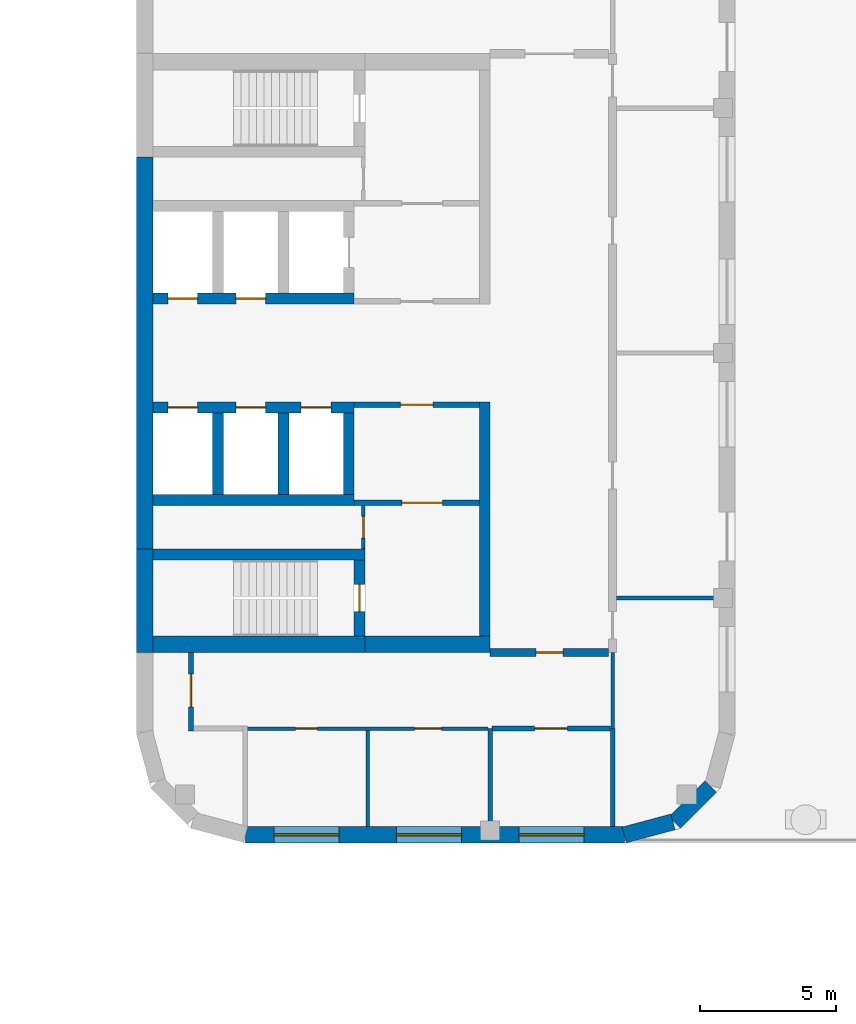
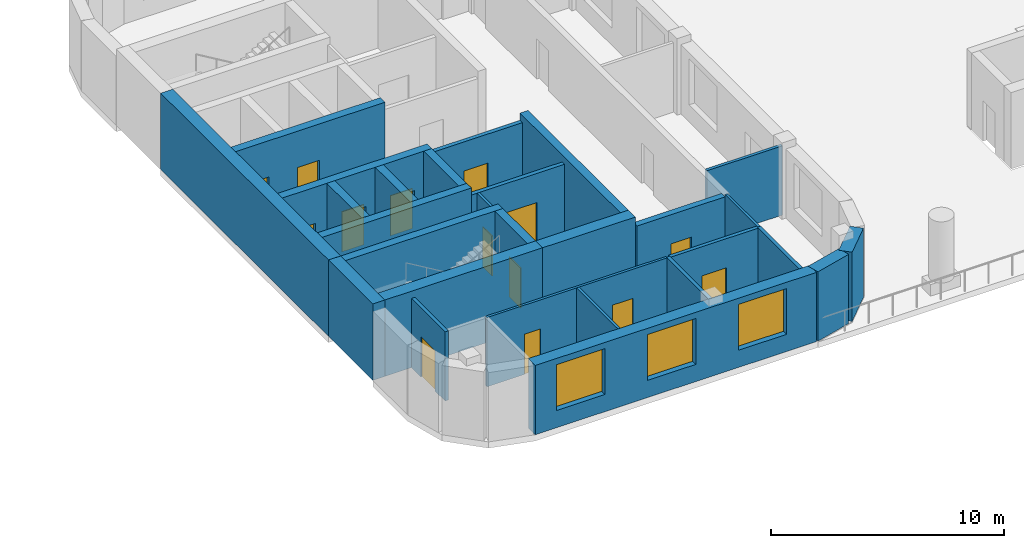
# One storey, part 7 of 14: 28 walls, 14 doors, 3 windows, 17 openings.
"""IFC4 building model written with IfcOpenShell, lengths in metres."""

from ifc_helpers import new_model, si_unit, direction, frame, frame_2d, origin, place, context, subcontext, project, spatial, rectangle, extrude, material, layer, layer_set, type_object, element, fill, save


model = new_model("IFC4")

# Units and contexts
model_context = context("Model", 3, precision=1e-05, world=origin(), true_north=direction((0.0, 1.0)))
body_context = subcontext(model_context, "Body", "Model", "MODEL_VIEW")
ifc_project = project(units=[si_unit("LENGTHUNIT", "METRE"), si_unit("AREAUNIT", "SQUARE_METRE"), si_unit("VOLUMEUNIT", "CUBIC_METRE"), si_unit("PLANEANGLEUNIT", "RADIAN"), si_unit("MASSUNIT", "GRAM", prefix="KILO")], contexts=[model_context])

# Site, building, storey
site_placement = place(None, origin())
site = spatial("IfcSite", under=ifc_project, at=site_placement, CompositionType="ELEMENT")
building_placement = place(site_placement, origin())
building = spatial("IfcBuilding", under=site, at=building_placement, Name="Skarvind Civic Tower", CompositionType="ELEMENT")
storey_placement = place(building_placement, frame((0.0, 0.0, 89.0)))
storey = spatial("IfcBuildingStorey", under=building, at=storey_placement, Name="L20", CompositionType="ELEMENT", Elevation=89.0)

# Wall, opening, door
ifc_material_1 = material(Name="Acoustic gypsum board on steel studs", Category="steel")
ifc_layer_1 = layer(ifc_material_1, 0.175048828125)
ifc_layer_set_1 = layer_set([ifc_layer_1], Name="ACOUSTIC MEETING-ROOM PARTITION 175")
wall_type_1 = type_object("IfcWallType", Name="ACOUSTIC MEETING-ROOM PARTITION 175", PredefinedType="PARTITIONING", material=ifc_layer_set_1)
wall_1_placement = place(storey_placement, frame((129.0, 114.112060546875, 0.0), z_axis=(0.0, 0.0, 1.0), x_axis=(0.0, 1.0, 0.0)))
wall_1 = element("IfcWall", 1, at=wall_1_placement, inside=storey, type_object=wall_type_1, Name="Partition 20.001", PredefinedType="PARTITIONING", context=body_context, shape_type="SweptSolid", body=[
    extrude(rectangle(XDim=2.887939453125, YDim=0.175048828125, at=frame_2d((1.44384765625, 0.0))), origin(), (0.0, 0.0, 1.0), 3.625),
])
opening_1_placement = place(wall_1_placement, frame((0.887939453125, 0.0, 0.0)))
opening_1 = element("IfcOpeningElement", 2, at=opening_1_placement, cuts=wall_1, Name="Opening L20-D110", PredefinedType="OPENING", context=body_context, shape_type="SweptSolid", body=[
    extrude(rectangle(XDim=1.199951171875, YDim=2.10009765625, at=frame_2d((0.60009765625, 1.050048828125))), frame((0.0, 0.097412109375, 0.0), z_axis=(0.0, -1.0, 0.0), x_axis=(1.0, 0.0, 0.0)), (0.0, 0.0, 1.0), 0.195068359375),
])
ifc_material_2 = material(Name="Timber door leaf", Category="wood")
door_type_1 = type_object("IfcDoorType", Name="DOOR 1200X2100 DOUBLE TIMBER", OperationType="NOTDEFINED", PredefinedType="DOOR", material=ifc_material_2)
door_1_placement = place(opening_1_placement, origin())
door_1 = element("IfcDoor", 3, at=door_1_placement, inside=storey, type_object=door_type_1, Name="Door L20-D110", OperationType="DOUBLE_DOOR_SINGLE_SWING", OverallHeight=2.10009765625, OverallWidth=1.199951171875, PredefinedType="DOOR", context=body_context, shape_type="SweptSolid", body=[
    extrude(rectangle(XDim=1.199951171875, YDim=2.10009765625, at=frame_2d((0.60009765625, 1.050048828125))), frame((0.0, 0.02490234375, 0.0), z_axis=(0.0, -1.0, 0.0), x_axis=(1.0, 0.0, 0.0)), (0.0, 0.0, 1.0), 0.050048828125),
])
fill(opening_1, door_1)

wall_2_placement = place(storey_placement, frame((144.412109375, 114.199951171875, 0.0), z_axis=(0.0, 0.0, 1.0), x_axis=(-1.0, 0.0, 0.0)))
wall_2 = element("IfcWall", 4, at=wall_2_placement, inside=storey, type_object=wall_type_1, Name="Partition 20.006", PredefinedType="PARTITIONING", context=body_context, shape_type="SweptSolid", body=[
    extrude(rectangle(XDim=4.35205078125, YDim=0.175048828125, at=frame_2d((2.176025390625, 0.0))), origin(), (0.0, 0.0, 1.0), 3.625),
])
opening_2_placement = place(wall_2_placement, frame((1.575927734375, 0.0, 0.0)))
opening_2 = element("IfcOpeningElement", 5, at=opening_2_placement, cuts=wall_2, Name="Opening L20-D109", PredefinedType="OPENING", context=body_context, shape_type="SweptSolid", body=[
    extrude(rectangle(XDim=1.199951171875, YDim=2.10009765625, at=frame_2d((0.60009765625, 1.050048828125))), frame((0.0, 0.097412109375, 0.0), z_axis=(0.0, -1.0, 0.0), x_axis=(1.0, 0.0, 0.0)), (0.0, 0.0, 1.0), 0.195068359375),
])
door_2_placement = place(opening_2_placement, origin())
door_2 = element("IfcDoor", 6, at=door_2_placement, inside=storey, type_object=door_type_1, Name="Door L20-D109", OperationType="DOUBLE_DOOR_SINGLE_SWING", OverallHeight=2.10009765625, OverallWidth=1.199951171875, PredefinedType="DOOR", context=body_context, shape_type="SweptSolid", body=[
    extrude(rectangle(XDim=1.199951171875, YDim=2.10009765625, at=frame_2d((0.60009765625, 1.050048828125))), frame((0.0, 0.02490234375, 0.0), z_axis=(0.0, -1.0, 0.0), x_axis=(1.0, 0.0, 0.0)), (0.0, 0.0, 1.0), 0.050048828125),
])
fill(opening_2, door_2)

# Walls
for number, where, z_axis, x_axis, name in (
    (7, (140.0, 110.60009765625, 0.0), (0.0, 0.0, 1.0), (0.0, 1.0, 0.0), "Partition 20.007"),
    (8, (144.5, 114.199951171875, 0.0), (0.0, 0.0, 1.0), (0.0, -1.0, 0.0), "Partition 20.009"),
):
    element("IfcWall", number, at=place(storey_placement, frame(where, z_axis=z_axis, x_axis=x_axis)), inside=storey, type_object=wall_type_1, Name=name, PredefinedType="PARTITIONING", context=body_context, shape_type="SweptSolid", body=[
        extrude(rectangle(XDim=3.599853515625, YDim=0.175048828125, at=frame_2d((1.7998046875, 0.0))), origin(), (0.0, 0.0, 1.0), 3.625),
    ])

# Wall, opening, door
ifc_material_3 = material(Name="Fire-rated gypsum board on steel studs", Category="steel")
ifc_layer_2 = layer(ifc_material_3, 0.300048828125)
ifc_layer_set_2 = layer_set([ifc_layer_2], Name="CORRIDOR WALL 300")
wall_type_2 = type_object("IfcWallType", Name="CORRIDOR WALL 300", PredefinedType="PARTITIONING", material=ifc_layer_set_2)
wall_3_placement = place(storey_placement, frame((140.0, 117.0, 0.0), z_axis=(0.0, 0.0, 1.0), x_axis=(1.0, 0.0, 0.0)))
wall_3 = element("IfcWall", 9, at=wall_3_placement, inside=storey, type_object=wall_type_2, Name="Partition 20.010", PredefinedType="PARTITIONING", context=body_context, shape_type="SweptSolid", body=[
    extrude(rectangle(XDim=4.35009765625, YDim=0.300048828125, at=frame_2d((2.175048828125, 0.0))), origin(), (0.0, 0.0, 1.0), 3.625),
])
opening_3_placement = place(wall_3_placement, frame((1.68359375, 0.0, 0.0)))
opening_3 = element("IfcOpeningElement", 10, at=opening_3_placement, cuts=wall_3, Name="Opening L20-D106", PredefinedType="OPENING", context=body_context, shape_type="SweptSolid", body=[
    extrude(rectangle(XDim=1.0, YDim=2.10009765625, at=frame_2d((0.5, 1.050048828125))), frame((0.0, 0.159912109375, 0.0), z_axis=(0.0, -1.0, 0.0), x_axis=(1.0, 0.0, 0.0)), (0.0, 0.0, 1.0), 0.320068359375),
])
ifc_material_4 = material(Name="Fire-rated timber door leaf", Category="wood")
door_type_2 = type_object("IfcDoorType", Name="FD1 1000x2100", OperationType="NOTDEFINED", PredefinedType="DOOR", material=ifc_material_4)
door_3_placement = place(opening_3_placement, origin())
door_3 = element("IfcDoor", 11, at=door_3_placement, inside=storey, type_object=door_type_2, Name="Door L20-D106", OperationType="SINGLE_SWING_LEFT", OverallHeight=2.10009765625, OverallWidth=1.0, PredefinedType="DOOR", context=body_context, shape_type="SweptSolid", body=[
    extrude(rectangle(XDim=1.0, YDim=2.10009765625, at=frame_2d((0.5, 1.050048828125))), frame((0.0, 0.02490234375, 0.0), z_axis=(0.0, -1.0, 0.0), x_axis=(1.0, 0.0, 0.0)), (0.0, 0.0, 1.0), 0.050048828125),
])
fill(opening_3, door_3)

ifc_material_5 = material(Name="Fire-rated masonry partition", Category="masonry")
ifc_layer_3 = layer(ifc_material_5, 0.199951171875)
ifc_layer_set_3 = layer_set([ifc_layer_3], Name="Core enclosure wall 200")
wall_type_3 = type_object("IfcWallType", Name="Core enclosure wall 200", PredefinedType="PARTITIONING", material=ifc_layer_set_3)
wall_4_placement = place(storey_placement, frame((139.60009765625, 126.10009765625, 0.0), z_axis=(0.0, 0.0, 1.0), x_axis=(-1.0, 0.0, 0.0)))
wall_4 = element("IfcWall", 12, at=wall_4_placement, inside=storey, type_object=wall_type_3, Name="Core wall CA", PredefinedType="PARTITIONING", context=body_context, shape_type="SweptSolid", body=[
    extrude(rectangle(XDim=4.60009765625, YDim=0.199951171875, at=frame_2d((2.300048828125, 0.0))), origin(), (0.0, 0.0, 1.0), 3.625),
])
opening_4_placement = place(wall_4_placement, frame((1.699951171875, 0.0, 0.0)))
opening_4 = element("IfcOpeningElement", 13, at=opening_4_placement, cuts=wall_4, Name="Opening D-L20-CA-10", PredefinedType="OPENING", context=body_context, shape_type="SweptSolid", body=[
    extrude(rectangle(XDim=1.199951171875, YDim=2.10009765625, at=frame_2d((0.60009765625, 1.050048828125))), frame((0.0, 0.10986328125, 0.0), z_axis=(0.0, -1.0, 0.0), x_axis=(1.0, 0.0, 0.0)), (0.0, 0.0, 1.0), 0.219970703125),
])
ifc_material_6 = material(Name="Fire-rated steel door", Category="steel")
door_type_3 = type_object("IfcDoorType", Name="Core lobby door 1200", OperationType="NOTDEFINED", PredefinedType="DOOR", material=ifc_material_6)
door_4_placement = place(opening_4_placement, origin())
door_4 = element("IfcDoor", 14, at=door_4_placement, inside=storey, type_object=door_type_3, Name="Fire door", OperationType="DOUBLE_DOOR_SINGLE_SWING", OverallHeight=2.10009765625, OverallWidth=1.199951171875, PredefinedType="DOOR", context=body_context, shape_type="SweptSolid", body=[
    extrude(rectangle(XDim=1.199951171875, YDim=2.10009765625, at=frame_2d((0.60009765625, 1.050048828125))), frame((0.0, 0.02490234375, 0.0), z_axis=(0.0, -1.0, 0.0), x_axis=(1.0, 0.0, 0.0)), (0.0, 0.0, 1.0), 0.050048828125),
])
fill(opening_4, door_4)

wall_5_placement = place(storey_placement, frame((139.60009765625, 122.5, 0.0), z_axis=(0.0, 0.0, 1.0), x_axis=(-1.0, 0.0, 0.0)))
wall_5 = element("IfcWall", 15, at=wall_5_placement, inside=storey, type_object=wall_type_3, Name="Core wall CA", PredefinedType="PARTITIONING", context=body_context, shape_type="SweptSolid", body=[
    extrude(rectangle(XDim=4.60009765625, YDim=0.199951171875, at=frame_2d((2.300048828125, 0.0))), origin(), (0.0, 0.0, 1.0), 3.625),
])
opening_5_placement = place(wall_5_placement, frame((1.35009765625, 0.0, 0.0)))
opening_5 = element("IfcOpeningElement", 16, at=opening_5_placement, cuts=wall_5, Name="Opening D-L20-CA-11", PredefinedType="OPENING", context=body_context, shape_type="SweptSolid", body=[
    extrude(rectangle(XDim=1.5, YDim=2.10009765625, at=frame_2d((0.75, 1.050048828125))), frame((0.0, 0.10986328125, 0.0), z_axis=(0.0, -1.0, 0.0), x_axis=(1.0, 0.0, 0.0)), (0.0, 0.0, 1.0), 0.219970703125),
])
door_type_4 = type_object("IfcDoorType", Name="Fire door 1500", OperationType="NOTDEFINED", PredefinedType="DOOR", material=ifc_material_6)
door_5_placement = place(opening_5_placement, origin())
door_5 = element("IfcDoor", 17, at=door_5_placement, inside=storey, type_object=door_type_4, Name="Fire door", OperationType="DOUBLE_DOOR_SINGLE_SWING", OverallHeight=2.10009765625, OverallWidth=1.5, PredefinedType="DOOR", context=body_context, shape_type="SweptSolid", body=[
    extrude(rectangle(XDim=1.5, YDim=2.10009765625, at=frame_2d((0.75, 1.050048828125))), frame((0.0, 0.02490234375, 0.0), z_axis=(0.0, -1.0, 0.0), x_axis=(1.0, 0.0, 0.0)), (0.0, 0.0, 1.0), 0.050048828125),
])
fill(opening_5, door_5)

# Wall
ifc_material_7 = material(Name="Concrete C80", Category="concrete")
ifc_layer_4 = layer(ifc_material_7, 0.39990234375)
ifc_layer_set_4 = layer_set([ifc_layer_4], Name="Core wall 400 C80")
wall_type_4 = type_object("IfcWallType", Name="Core wall 400 C80", PredefinedType="SHEAR", material=ifc_layer_set_4)
wall_6_placement = place(storey_placement, frame((127.60009765625, 120.60009765625, 0.0), z_axis=(0.0, 0.0, 1.0), x_axis=(1.0, 0.0, 0.0)))
element("IfcWall", 18, at=wall_6_placement, inside=storey, type_object=wall_type_4, Name="Core wall CA south stair inner L20", PredefinedType="SHEAR", context=body_context, shape_type="SweptSolid", body=[
    extrude(rectangle(XDim=7.7998046875, YDim=0.39990234375, at=frame_2d((3.89990234375, 0.0))), origin(), (0.0, 0.0, 1.0), 4.0),
])

# Wall, opening, door
wall_7_placement = place(storey_placement, frame((135.199951171875, 117.60009765625, 0.0), z_axis=(0.0, 0.0, 1.0), x_axis=(0.0, 1.0, 0.0)))
wall_7 = element("IfcWall", 19, at=wall_7_placement, inside=storey, type_object=wall_type_4, Name="Core wall CA south stair end L20", PredefinedType="SHEAR", context=body_context, shape_type="SweptSolid", body=[
    extrude(rectangle(XDim=2.7998046875, YDim=0.39990234375, at=frame_2d((1.39990234375, 0.0))), origin(), (0.0, 0.0, 1.0), 4.0),
])
opening_6_placement = place(wall_7_placement, frame((0.89990234375, 0.0, 0.0)))
opening_6 = element("IfcOpeningElement", 20, at=opening_6_placement, cuts=wall_7, Name="Opening D-L20-CA-12", PredefinedType="OPENING", context=body_context, shape_type="SweptSolid", body=[
    extrude(rectangle(XDim=1.0, YDim=2.10009765625, at=frame_2d((0.5, 1.050048828125))), frame((0.0, 0.2099609375, 0.0), z_axis=(0.0, -1.0, 0.0), x_axis=(1.0, 0.0, 0.0)), (0.0, 0.0, 1.0), 0.419921875),
])
door_type_5 = type_object("IfcDoorType", Name="Fire door 1000", OperationType="NOTDEFINED", PredefinedType="DOOR", material=ifc_material_6)
door_6_placement = place(opening_6_placement, origin())
door_6 = element("IfcDoor", 21, at=door_6_placement, inside=storey, type_object=door_type_5, Name="Fire door", OperationType="SINGLE_SWING_RIGHT", OverallHeight=2.10009765625, OverallWidth=1.0, PredefinedType="DOOR", context=body_context, shape_type="SweptSolid", body=[
    extrude(rectangle(XDim=1.0, YDim=2.10009765625, at=frame_2d((0.5, 1.050048828125))), frame((0.0, 0.02490234375, 0.0), z_axis=(0.0, -1.0, 0.0), x_axis=(1.0, 0.0, 0.0)), (0.0, 0.0, 1.0), 0.050048828125),
])
fill(opening_6, door_6)

# Wall, openings, doors
wall_8_placement = place(storey_placement, frame((127.60009765625, 126.0, 0.0), z_axis=(0.0, 0.0, 1.0), x_axis=(1.0, 0.0, 0.0)))
wall_8 = element("IfcWall", 22, at=wall_8_placement, inside=storey, type_object=wall_type_4, Name="Core wall CA south lift row front L20", PredefinedType="SHEAR", context=body_context, shape_type="SweptSolid", body=[
    extrude(rectangle(XDim=7.39990234375, YDim=0.39990234375, at=frame_2d((3.699951171875, 0.0))), origin(), (0.0, 0.0, 1.0), 4.0),
])
opening_7_placement = place(wall_8_placement, frame((0.550048828125, 0.0, 0.0)))
opening_7 = element("IfcOpeningElement", 23, at=opening_7_placement, cuts=wall_8, Name="Opening LD22304", PredefinedType="OPENING", context=body_context, shape_type="SweptSolid", body=[
    extrude(rectangle(XDim=1.10009765625, YDim=2.10009765625, at=frame_2d((0.550048828125, 1.050048828125))), frame((0.0, 0.2099609375, 0.0), z_axis=(0.0, -1.0, 0.0), x_axis=(1.0, 0.0, 0.0)), (0.0, 0.0, 1.0), 0.419921875),
])
opening_8_placement = place(wall_8_placement, frame((3.050048828125, 0.0, 0.0)))
opening_8 = element("IfcOpeningElement", 24, at=opening_8_placement, cuts=wall_8, Name="Opening LD22305", PredefinedType="OPENING", context=body_context, shape_type="SweptSolid", body=[
    extrude(rectangle(XDim=1.10009765625, YDim=2.10009765625, at=frame_2d((0.550048828125, 1.050048828125))), frame((0.0, 0.2099609375, 0.0), z_axis=(0.0, -1.0, 0.0), x_axis=(1.0, 0.0, 0.0)), (0.0, 0.0, 1.0), 0.419921875),
])
opening_9_placement = place(wall_8_placement, frame((5.449951171875, 0.0, 0.0)))
opening_9 = element("IfcOpeningElement", 25, at=opening_9_placement, cuts=wall_8, Name="Opening LD22306", PredefinedType="OPENING", context=body_context, shape_type="SweptSolid", body=[
    extrude(rectangle(XDim=1.10009765625, YDim=2.10009765625, at=frame_2d((0.550048828125, 1.050048828125))), frame((0.0, 0.2099609375, 0.0), z_axis=(0.0, -1.0, 0.0), x_axis=(1.0, 0.0, 0.0)), (0.0, 0.0, 1.0), 0.419921875),
])
ifc_material_8 = material(Name="Stainless steel landing door", Category="steel")
door_type_6 = type_object("IfcDoorType", Name="Lift landing door 1100", OperationType="DOUBLE_DOOR_SLIDING", PredefinedType="DOOR", material=ifc_material_8)
door_7_placement = place(opening_7_placement, origin())
door_7 = element("IfcDoor", 26, at=door_7_placement, inside=storey, type_object=door_type_6, Name="Lift landing door", OperationType="DOUBLE_DOOR_SLIDING", OverallHeight=2.10009765625, OverallWidth=1.10009765625, PredefinedType="DOOR", context=body_context, shape_type="SweptSolid", body=[
    extrude(rectangle(XDim=1.10009765625, YDim=2.10009765625, at=frame_2d((0.550048828125, 1.050048828125))), frame((0.0, 0.02490234375, 0.0), z_axis=(0.0, -1.0, 0.0), x_axis=(1.0, 0.0, 0.0)), (0.0, 0.0, 1.0), 0.050048828125),
])
fill(opening_7, door_7)
door_8_placement = place(opening_8_placement, origin())
door_8 = element("IfcDoor", 27, at=door_8_placement, inside=storey, type_object=door_type_6, Name="Lift landing door", OperationType="DOUBLE_DOOR_SLIDING", OverallHeight=2.10009765625, OverallWidth=1.10009765625, PredefinedType="DOOR", context=body_context, shape_type="SweptSolid", body=[
    extrude(rectangle(XDim=1.10009765625, YDim=2.10009765625, at=frame_2d((0.550048828125, 1.050048828125))), frame((0.0, 0.02490234375, 0.0), z_axis=(0.0, -1.0, 0.0), x_axis=(1.0, 0.0, 0.0)), (0.0, 0.0, 1.0), 0.050048828125),
])
fill(opening_8, door_8)
door_9_placement = place(opening_9_placement, origin())
door_9 = element("IfcDoor", 28, at=door_9_placement, inside=storey, type_object=door_type_6, Name="Lift landing door", OperationType="DOUBLE_DOOR_SLIDING", OverallHeight=2.10009765625, OverallWidth=1.10009765625, PredefinedType="DOOR", context=body_context, shape_type="SweptSolid", body=[
    extrude(rectangle(XDim=1.10009765625, YDim=2.10009765625, at=frame_2d((0.550048828125, 1.050048828125))), frame((0.0, 0.02490234375, 0.0), z_axis=(0.0, -1.0, 0.0), x_axis=(1.0, 0.0, 0.0)), (0.0, 0.0, 1.0), 0.050048828125),
])
fill(opening_9, door_9)

# Walls
wall_9_placement = place(storey_placement, frame((127.60009765625, 122.60009765625, 0.0), z_axis=(0.0, 0.0, 1.0), x_axis=(1.0, 0.0, 0.0)))
element("IfcWall", 29, at=wall_9_placement, inside=storey, type_object=wall_type_4, Name="Core wall CA south lift row back L20", PredefinedType="SHEAR", context=body_context, shape_type="SweptSolid", body=[
    extrude(rectangle(XDim=7.39990234375, YDim=0.39990234375, at=frame_2d((3.699951171875, 0.0))), origin(), (0.0, 0.0, 1.0), 4.0),
])
for number, where, z_axis, x_axis, name in (
    (30, (130.0, 122.800048828125, 0.0), (0.0, 0.0, 1.0), (0.0, 1.0, 0.0), "Core wall CA south lift row division 1 L20"),
    (31, (132.39990234375, 122.800048828125, 0.0), (0.0, 0.0, 1.0), (0.0, 1.0, 0.0), "Core wall CA south lift row division 2 L20"),
    (32, (134.800048828125, 122.800048828125, 0.0), (0.0, 0.0, 1.0), (0.0, 1.0, 0.0), "Core wall CA south lift row division 3 L20"),
):
    element("IfcWall", number, at=place(storey_placement, frame(where, z_axis=z_axis, x_axis=x_axis)), inside=storey, type_object=wall_type_4, Name=name, PredefinedType="SHEAR", context=body_context, shape_type="SweptSolid", body=[
        extrude(rectangle(XDim=3.0, YDim=0.39990234375, at=frame_2d((1.5, 0.0))), origin(), (0.0, 0.0, 1.0), 4.0),
    ])

# Wall, openings, doors
wall_10_placement = place(storey_placement, frame((127.60009765625, 130.0, 0.0), z_axis=(0.0, 0.0, 1.0), x_axis=(1.0, 0.0, 0.0)))
wall_10 = element("IfcWall", 33, at=wall_10_placement, inside=storey, type_object=wall_type_4, Name="Core wall CA north lift row front L20", PredefinedType="SHEAR", context=body_context, shape_type="SweptSolid", body=[
    extrude(rectangle(XDim=7.39990234375, YDim=0.39990234375, at=frame_2d((3.699951171875, 0.0))), origin(), (0.0, 0.0, 1.0), 4.0),
])
opening_10_placement = place(wall_10_placement, frame((0.550048828125, 0.0, 0.0)))
opening_10 = element("IfcOpeningElement", 34, at=opening_10_placement, cuts=wall_10, Name="Opening LD22301", PredefinedType="OPENING", context=body_context, shape_type="SweptSolid", body=[
    extrude(rectangle(XDim=1.10009765625, YDim=2.10009765625, at=frame_2d((0.550048828125, 1.050048828125))), frame((0.0, 0.2099609375, 0.0), z_axis=(0.0, -1.0, 0.0), x_axis=(1.0, 0.0, 0.0)), (0.0, 0.0, 1.0), 0.419921875),
])
opening_11_placement = place(wall_10_placement, frame((3.050048828125, 0.0, 0.0)))
opening_11 = element("IfcOpeningElement", 35, at=opening_11_placement, cuts=wall_10, Name="Opening LD22302", PredefinedType="OPENING", context=body_context, shape_type="SweptSolid", body=[
    extrude(rectangle(XDim=1.10009765625, YDim=2.10009765625, at=frame_2d((0.550048828125, 1.050048828125))), frame((0.0, 0.2099609375, 0.0), z_axis=(0.0, -1.0, 0.0), x_axis=(1.0, 0.0, 0.0)), (0.0, 0.0, 1.0), 0.419921875),
])
door_10_placement = place(opening_10_placement, origin())
door_10 = element("IfcDoor", 36, at=door_10_placement, inside=storey, type_object=door_type_6, Name="Lift landing door", OperationType="DOUBLE_DOOR_SLIDING", OverallHeight=2.10009765625, OverallWidth=1.10009765625, PredefinedType="DOOR", context=body_context, shape_type="SweptSolid", body=[
    extrude(rectangle(XDim=1.10009765625, YDim=2.10009765625, at=frame_2d((0.550048828125, 1.050048828125))), frame((0.0, 0.02490234375, 0.0), z_axis=(0.0, -1.0, 0.0), x_axis=(1.0, 0.0, 0.0)), (0.0, 0.0, 1.0), 0.050048828125),
])
fill(opening_10, door_10)
door_11_placement = place(opening_11_placement, origin())
door_11 = element("IfcDoor", 37, at=door_11_placement, inside=storey, type_object=door_type_6, Name="Lift landing door", OperationType="DOUBLE_DOOR_SLIDING", OverallHeight=2.10009765625, OverallWidth=1.10009765625, PredefinedType="DOOR", context=body_context, shape_type="SweptSolid", body=[
    extrude(rectangle(XDim=1.10009765625, YDim=2.10009765625, at=frame_2d((0.550048828125, 1.050048828125))), frame((0.0, 0.02490234375, 0.0), z_axis=(0.0, -1.0, 0.0), x_axis=(1.0, 0.0, 0.0)), (0.0, 0.0, 1.0), 0.050048828125),
])
fill(opening_11, door_11)

# Walls
wall_11_placement = place(storey_placement, frame((139.800048828125, 117.60009765625, 0.0), z_axis=(0.0, 0.0, 1.0), x_axis=(0.0, 1.0, 0.0)))
element("IfcWall", 38, at=wall_11_placement, inside=storey, type_object=wall_type_4, Name="Core wall CA south inner face L20", PredefinedType="SHEAR", context=body_context, shape_type="SweptSolid", body=[
    extrude(rectangle(XDim=8.599853515625, YDim=0.39990234375, at=frame_2d((4.2998046875, 0.0))), origin(), (0.0, 0.0, 1.0), 4.0),
])
ifc_layer_5 = layer(ifc_material_7, 0.60009765625)
ifc_layer_set_5 = layer_set([ifc_layer_5], Name="Core wall 600 C80")
wall_type_5 = type_object("IfcWallType", Name="Core wall 600 C80", PredefinedType="SHEAR", material=ifc_layer_set_5)
wall_12_placement = place(storey_placement, frame((127.300048828125, 117.0, 0.0), z_axis=(0.0, 0.0, 1.0), x_axis=(0.0, 1.0, 0.0)))
element("IfcWall", 39, at=wall_12_placement, inside=storey, type_object=wall_type_5, Name="Core wall CA tip at the south stair L20", PredefinedType="SHEAR", context=body_context, shape_type="SweptSolid", body=[
    extrude(rectangle(XDim=3.800048828125, YDim=0.60009765625, at=frame_2d((1.89990234375, 0.0))), origin(), (0.0, 0.0, 1.0), 4.0),
])
wall_13_placement = place(storey_placement, frame((127.300048828125, 120.800048828125, 0.0), z_axis=(0.0, 0.0, 1.0), x_axis=(0.0, 1.0, 0.0)))
element("IfcWall", 40, at=wall_13_placement, inside=storey, type_object=wall_type_5, Name="Core wall CA tip between the stairs L20", PredefinedType="SHEAR", context=body_context, shape_type="SweptSolid", body=[
    extrude(rectangle(XDim=14.39990234375, YDim=0.60009765625, at=frame_2d((7.199951171875, 0.0))), origin(), (0.0, 0.0, 1.0), 4.0),
])
wall_14_placement = place(storey_placement, frame((127.60009765625, 117.300048828125, 0.0), z_axis=(0.0, 0.0, 1.0), x_axis=(1.0, 0.0, 0.0)))
element("IfcWall", 41, at=wall_14_placement, inside=storey, type_object=wall_type_5, Name="Core wall CA south side at the stair L20", PredefinedType="SHEAR", context=body_context, shape_type="SweptSolid", body=[
    extrude(rectangle(XDim=7.7998046875, YDim=0.60009765625, at=frame_2d((3.89990234375, 0.0))), origin(), (0.0, 0.0, 1.0), 4.0),
])
wall_15_placement = place(storey_placement, frame((135.39990234375, 117.300048828125, 0.0), z_axis=(0.0, 0.0, 1.0), x_axis=(1.0, 0.0, 0.0)))
element("IfcWall", 42, at=wall_15_placement, inside=storey, type_object=wall_type_5, Name="Core wall CA south side L20", PredefinedType="SHEAR", context=body_context, shape_type="SweptSolid", body=[
    extrude(rectangle(XDim=4.60009765625, YDim=0.60009765625, at=frame_2d((2.300048828125, 0.0))), origin(), (0.0, 0.0, 1.0), 4.0),
])
ifc_material_9 = material(Name="Plasterboard partition on steel studs", Category="steel")
ifc_layer_6 = layer(ifc_material_9, 0.14990234375)
ifc_layer_set_6 = layer_set([ifc_layer_6], Name="PARTITION 150")
wall_type_6 = type_object("IfcWallType", Name="PARTITION 150", PredefinedType="PARTITIONING", material=ifc_layer_set_6)
wall_16_placement = place(storey_placement, frame((144.64990234375, 119.0, 0.0), z_axis=(0.0, 0.0, 1.0), x_axis=(1.0, 0.0, 0.0)))
element("IfcWall", 43, at=wall_16_placement, inside=storey, type_object=wall_type_6, Name="Partition 20.012", PredefinedType="PARTITIONING", context=body_context, shape_type="SweptSolid", body=[
    extrude(rectangle(XDim=3.75, YDim=0.14990234375, at=frame_2d((1.875, 0.0))), origin(), (0.0, 0.0, 1.0), 3.625),
])

# Wall, opening, door
ifc_layer_7 = layer(ifc_material_5, 0.125)
ifc_layer_set_7 = layer_set([ifc_layer_7], Name="Riser wall 125")
wall_type_7 = type_object("IfcWallType", Name="Riser wall 125", PredefinedType="PARTITIONING", material=ifc_layer_set_7)
wall_17_placement = place(storey_placement, frame((135.33740234375, 122.39990234375, 0.0), z_axis=(0.0, 0.0, 1.0), x_axis=(0.0, -1.0, 0.0)))
wall_17 = element("IfcWall", 44, at=wall_17_placement, inside=storey, type_object=wall_type_7, Name="Core wall CA", PredefinedType="PARTITIONING", context=body_context, shape_type="SweptSolid", body=[
    extrude(rectangle(XDim=1.599853515625, YDim=0.125, at=frame_2d((0.7998046875, 0.0))), origin(), (0.0, 0.0, 1.0), 3.625),
])
opening_12_placement = place(wall_17_placement, frame((0.39990234375, 0.0, 0.0)))
opening_12 = element("IfcOpeningElement", 45, at=opening_12_placement, cuts=wall_17, Name="Opening D-L20-CA-13", PredefinedType="OPENING", context=body_context, shape_type="SweptSolid", body=[
    extrude(rectangle(XDim=0.800048828125, YDim=2.10009765625, at=frame_2d((0.39990234375, 1.050048828125))), frame((0.0, 0.072509765625, 0.0), z_axis=(0.0, -1.0, 0.0), x_axis=(1.0, 0.0, 0.0)), (0.0, 0.0, 1.0), 0.14501953125),
])
door_type_7 = type_object("IfcDoorType", Name="Core riser door 800", OperationType="NOTDEFINED", PredefinedType="DOOR", material=ifc_material_6)
door_12_placement = place(opening_12_placement, origin())
door_12 = element("IfcDoor", 46, at=door_12_placement, inside=storey, type_object=door_type_7, Name="Riser door", OperationType="SINGLE_SWING_LEFT", OverallHeight=2.10009765625, OverallWidth=0.800048828125, PredefinedType="DOOR", context=body_context, shape_type="SweptSolid", body=[
    extrude(rectangle(XDim=0.800048828125, YDim=2.10009765625, at=frame_2d((0.39990234375, 1.050048828125))), frame((0.0, 0.02490234375, 0.0), z_axis=(0.0, -1.0, 0.0), x_axis=(1.0, 0.0, 0.0)), (0.0, 0.0, 1.0), 0.050048828125),
])
fill(opening_12, door_12)

# Wall, openings, doors
ifc_material_10 = material(Name="Moisture-resistant gypsum board on steel studs", Category="steel")
ifc_layer_8 = layer(ifc_material_10, 0.125)
ifc_layer_set_8 = layer_set([ifc_layer_8], Name="WC PARTITION 125")
wall_type_8 = type_object("IfcWallType", Name="WC PARTITION 125", PredefinedType="PARTITIONING", material=ifc_layer_set_8)
wall_18_placement = place(storey_placement, frame((139.916015625, 114.199951171875, 0.0), z_axis=(0.0, 0.0, 1.0), x_axis=(-1.0, 0.0, 0.0)))
wall_18 = element("IfcWall", 47, at=wall_18_placement, inside=storey, type_object=wall_type_8, Name="Partition 20.003", PredefinedType="PARTITIONING", context=body_context, shape_type="SweptSolid", body=[
    extrude(rectangle(XDim=8.9189453125, YDim=0.125, at=frame_2d((4.45947265625, 0.0))), origin(), (0.0, 0.0, 1.0), 3.625),
])
opening_13_placement = place(wall_18_placement, frame((1.697998046875, 0.0, 0.0)))
opening_13 = element("IfcOpeningElement", 48, at=opening_13_placement, cuts=wall_18, Name="Opening L20-D107", PredefinedType="OPENING", context=body_context, shape_type="SweptSolid", body=[
    extrude(rectangle(XDim=1.0, YDim=2.10009765625, at=frame_2d((0.5, 1.050048828125))), frame((0.0, 0.072509765625, 0.0), z_axis=(0.0, -1.0, 0.0), x_axis=(1.0, 0.0, 0.0)), (0.0, 0.0, 1.0), 0.14501953125),
])
opening_14_placement = place(wall_18_placement, frame((6.26611328125, 0.0, 0.0)))
opening_14 = element("IfcOpeningElement", 49, at=opening_14_placement, cuts=wall_18, Name="Opening L20-D108", PredefinedType="OPENING", context=body_context, shape_type="SweptSolid", body=[
    extrude(rectangle(XDim=0.800048828125, YDim=2.10009765625, at=frame_2d((0.39990234375, 1.050048828125))), frame((0.0, 0.072509765625, 0.0), z_axis=(0.0, -1.0, 0.0), x_axis=(1.0, 0.0, 0.0)), (0.0, 0.0, 1.0), 0.14501953125),
])
door_type_8 = type_object("IfcDoorType", Name="D1 1000x2100", OperationType="NOTDEFINED", PredefinedType="DOOR", material=ifc_material_2)
door_13_placement = place(opening_13_placement, origin())
door_13 = element("IfcDoor", 50, at=door_13_placement, inside=storey, type_object=door_type_8, Name="Door L20-D107", OperationType="SINGLE_SWING_LEFT", OverallHeight=2.10009765625, OverallWidth=1.0, PredefinedType="DOOR", context=body_context, shape_type="SweptSolid", body=[
    extrude(rectangle(XDim=1.0, YDim=2.10009765625, at=frame_2d((0.5, 1.050048828125))), frame((0.0, 0.02490234375, 0.0), z_axis=(0.0, -1.0, 0.0), x_axis=(1.0, 0.0, 0.0)), (0.0, 0.0, 1.0), 0.050048828125),
])
fill(opening_13, door_13)
door_type_9 = type_object("IfcDoorType", Name="DOOR 800X2100 TIMBER", OperationType="NOTDEFINED", PredefinedType="DOOR", material=ifc_material_2)
door_14_placement = place(opening_14_placement, origin())
door_14 = element("IfcDoor", 51, at=door_14_placement, inside=storey, type_object=door_type_9, Name="Door L20-D108", OperationType="SINGLE_SWING_RIGHT", OverallHeight=2.10009765625, OverallWidth=0.800048828125, PredefinedType="DOOR", context=body_context, shape_type="SweptSolid", body=[
    extrude(rectangle(XDim=0.800048828125, YDim=2.10009765625, at=frame_2d((0.39990234375, 1.050048828125))), frame((0.0, 0.02490234375, 0.0), z_axis=(0.0, -1.0, 0.0), x_axis=(1.0, 0.0, 0.0)), (0.0, 0.0, 1.0), 0.050048828125),
])
fill(opening_14, door_14)

# Walls
wall_19_placement = place(storey_placement, frame((135.5, 110.60009765625, 0.0), z_axis=(0.0, 0.0, 1.0), x_axis=(0.0, 1.0, 0.0)))
element("IfcWall", 52, at=wall_19_placement, inside=storey, type_object=wall_type_8, Name="Partition 20.005", PredefinedType="PARTITIONING", context=body_context, shape_type="SweptSolid", body=[
    extrude(rectangle(XDim=3.537841796875, YDim=0.125, at=frame_2d((1.76904296875, 0.0))), origin(), (0.0, 0.0, 1.0), 3.625),
])
wall_20_placement = place(storey_placement, frame((144.5, 117.0, 0.0), z_axis=(0.0, 0.0, 1.0), x_axis=(0.0, -1.0, 0.0)))
element("IfcWall", 53, at=wall_20_placement, inside=storey, type_object=wall_type_8, Name="Partition 20.011", PredefinedType="PARTITIONING", context=body_context, shape_type="SweptSolid", body=[
    extrude(rectangle(XDim=2.800048828125, YDim=0.125, at=frame_2d((1.39990234375, 0.0))), origin(), (0.0, 0.0, 1.0), 3.625),
])

# Wall, openings, windows
ifc_material_11 = material(Name="Limestone masonry cladding on insulated backing", Category="masonry")
ifc_layer_9 = layer(ifc_material_11, 0.60009765625)
ifc_layer_set_9 = layer_set([ifc_layer_9], Name="WX1 STONE FACADE WALL 600")
wall_type_9 = type_object("IfcWallType", Name="WX1 STONE FACADE WALL 600", PredefinedType="SOLIDWALL", material=ifc_layer_set_9)
wall_21_placement = place(storey_placement, frame((144.929931640625, 110.300048828125, 0.0), z_axis=(0.0, 0.0, 1.0), x_axis=(-1.0, 0.0, 0.0)))
wall_21 = element("IfcWall", 54, at=wall_21_placement, inside=storey, type_object=wall_type_9, Name="STONE FACADE WALL", PredefinedType="SOLIDWALL", context=body_context, shape_type="SweptSolid", body=[
    extrude(rectangle(XDim=13.929931640625, YDim=0.60009765625, at=frame_2d((6.96484375, 0.0))), origin(), (0.0, 0.0, 1.0), 3.625),
])
opening_15_placement = place(wall_21_placement, frame((1.47998046875, 0.0, 0.89990234375)))
opening_15 = element("IfcOpeningElement", 55, at=opening_15_placement, cuts=wall_21, Name="Opening WN9", PredefinedType="OPENING", context=body_context, shape_type="SweptSolid", body=[
    extrude(rectangle(XDim=2.39990234375, YDim=2.39990234375, at=frame_2d((1.199951171875, 1.199951171875))), frame((0.0, 0.31005859375, 0.0), z_axis=(0.0, -1.0, 0.0), x_axis=(1.0, 0.0, 0.0)), (0.0, 0.0, 1.0), 0.6201171875),
])
opening_16_placement = place(wall_21_placement, frame((5.97998046875, 0.0, 0.89990234375)))
opening_16 = element("IfcOpeningElement", 56, at=opening_16_placement, cuts=wall_21, Name="Opening WN9", PredefinedType="OPENING", context=body_context, shape_type="SweptSolid", body=[
    extrude(rectangle(XDim=2.39990234375, YDim=2.39990234375, at=frame_2d((1.199951171875, 1.199951171875))), frame((0.0, 0.31005859375, 0.0), z_axis=(0.0, -1.0, 0.0), x_axis=(1.0, 0.0, 0.0)), (0.0, 0.0, 1.0), 0.6201171875),
])
opening_17_placement = place(wall_21_placement, frame((10.47998046875, 0.0, 0.89990234375)))
opening_17 = element("IfcOpeningElement", 57, at=opening_17_placement, cuts=wall_21, Name="Opening WN9", PredefinedType="OPENING", context=body_context, shape_type="SweptSolid", body=[
    extrude(rectangle(XDim=2.39990234375, YDim=2.39990234375, at=frame_2d((1.199951171875, 1.199951171875))), frame((0.0, 0.31005859375, 0.0), z_axis=(0.0, -1.0, 0.0), x_axis=(1.0, 0.0, 0.0)), (0.0, 0.0, 1.0), 0.6201171875),
])
ifc_material_12 = material(Name="Timber frame, double glazing, timber-lined reveal", Category="wood")
window_type = type_object("IfcWindowType", Name="WN9 COMPANION TOWER WINDOW 2400 x 2400", PartitioningType="SINGLE_PANEL", PredefinedType="WINDOW", material=ifc_material_12)
window_1_placement = place(opening_15_placement, origin())
window_1 = element("IfcWindow", 58, at=window_1_placement, inside=storey, type_object=window_type, Name="WN9 WINDOW", OverallHeight=2.39990234375, OverallWidth=2.39990234375, PartitioningType="SINGLE_PANEL", PredefinedType="WINDOW", context=body_context, shape_type="SweptSolid", body=[
    extrude(rectangle(XDim=2.39990234375, YDim=2.39990234375, at=frame_2d((1.199951171875, 1.199951171875))), frame((0.0, 0.030029296875, 0.0), z_axis=(0.0, -1.0, 0.0), x_axis=(1.0, 0.0, 0.0)), (0.0, 0.0, 1.0), 0.06005859375),
])
fill(opening_15, window_1)
window_2_placement = place(opening_16_placement, origin())
window_2 = element("IfcWindow", 59, at=window_2_placement, inside=storey, type_object=window_type, Name="WN9 WINDOW", OverallHeight=2.39990234375, OverallWidth=2.39990234375, PartitioningType="SINGLE_PANEL", PredefinedType="WINDOW", context=body_context, shape_type="SweptSolid", body=[
    extrude(rectangle(XDim=2.39990234375, YDim=2.39990234375, at=frame_2d((1.199951171875, 1.199951171875))), frame((0.0, 0.030029296875, 0.0), z_axis=(0.0, -1.0, 0.0), x_axis=(1.0, 0.0, 0.0)), (0.0, 0.0, 1.0), 0.06005859375),
])
fill(opening_16, window_2)
window_3_placement = place(opening_17_placement, origin())
window_3 = element("IfcWindow", 60, at=window_3_placement, inside=storey, type_object=window_type, Name="WN9 WINDOW", OverallHeight=2.39990234375, OverallWidth=2.39990234375, PartitioningType="SINGLE_PANEL", PredefinedType="WINDOW", context=body_context, shape_type="SweptSolid", body=[
    extrude(rectangle(XDim=2.39990234375, YDim=2.39990234375, at=frame_2d((1.199951171875, 1.199951171875))), frame((0.0, 0.030029296875, 0.0), z_axis=(0.0, -1.0, 0.0), x_axis=(1.0, 0.0, 0.0)), (0.0, 0.0, 1.0), 0.06005859375),
])
fill(opening_17, window_3)

# Walls
for number, where, z_axis, x_axis, name in (
    (61, (146.719482421875, 110.771240234375, 0.0), (0.0, 0.0, 1.0), (-0.965938094805, -0.258773254036, 0.0), "STONE FACADE WALL"),
    (62, (148.103515625, 112.063720703125, 0.0), (0.0, 0.0, 1.0), (-0.707106781187, -0.707106781187, 0.0), "STONE FACADE WALL"),
):
    element("IfcWall", number, at=place(storey_placement, frame(where, z_axis=z_axis, x_axis=x_axis)), inside=storey, type_object=wall_type_9, Name=name, PredefinedType="SOLIDWALL", context=body_context, shape_type="SweptSolid", body=[
        extrude(rectangle(XDim=1.860595703125, YDim=0.60009765625, at=frame_2d((0.93017578125, 0.0))), origin(), (0.0, 0.0, 1.0), 3.625),
    ])

save(model, "model.ifc")
